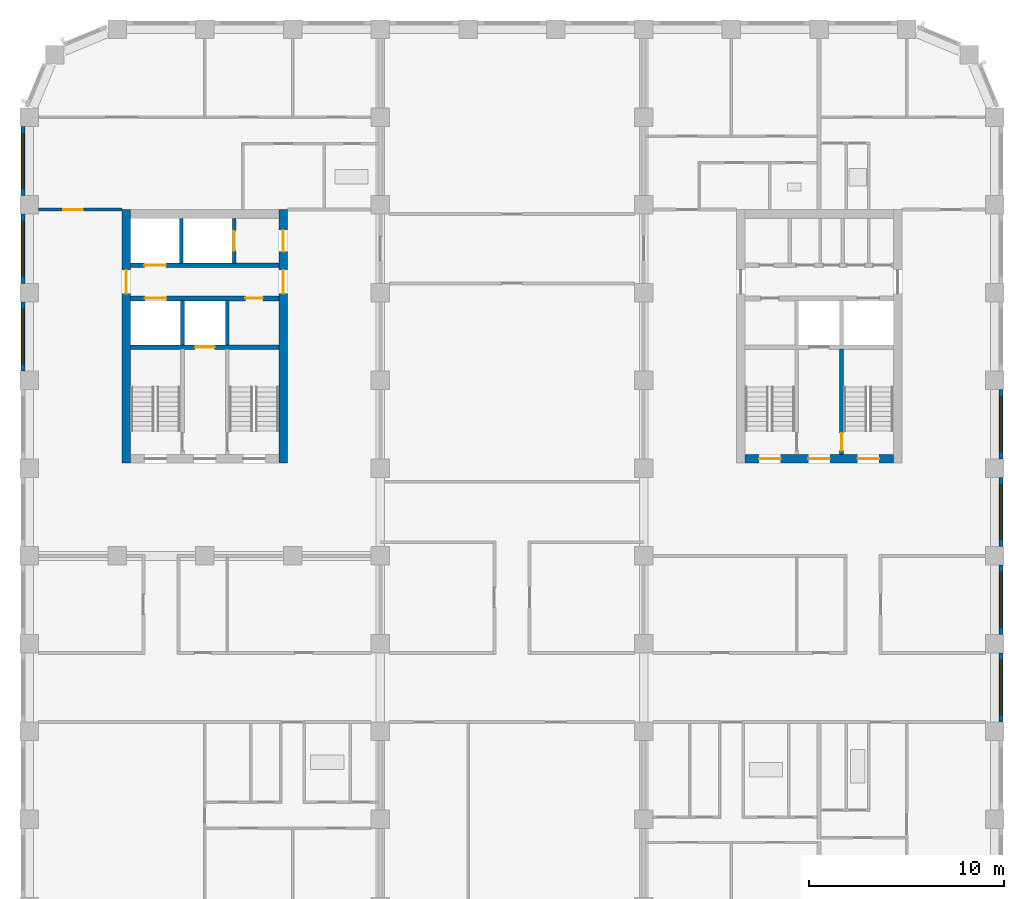
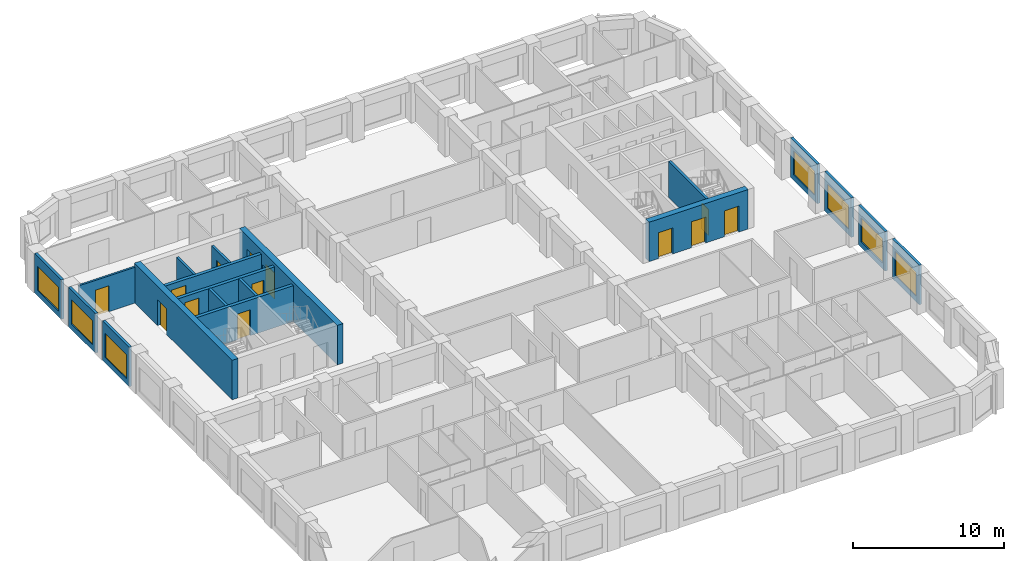
# One storey, part 6 of 12: 19 walls, 13 doors, 7 windows, 20 openings.
"""IFC4 building model written with IfcOpenShell, lengths in metres."""

import ifcopenshell
import ifcopenshell.guid

model = None  # the IFC model being written
_history = None  # IfcOwnerHistory: only IFC2X3 demands one
_inside = {}  # id of a spatial element -> (the spatial element, [elements in it])
_under = {}  # id of a project, library or spatial element -> (it, [spatial elements below it])
_declared = {}  # id of a project -> (the project, [libraries it declares])
_typed = {}  # id of a type object -> (the type object, [elements of that type])
_made_of = {}  # id of a material, layer set ... -> (it, [elements and type objects made of it])


def new_model(schema):
    """Start an empty IFC model of exactly this schema.

    Asked for "IFC4X3", IfcOpenShell would pick the latest addendum, in which some entities
    have other attributes; the version numbers below select the first issue.
    IFC2X3 requires an IfcOwnerHistory on every rooted entity: one is made here for all.
    """
    global model, _history
    if schema == "IFC4X3":
        model = ifcopenshell.file(schema_version=(4, 3, 0, 0))
    else:
        model = ifcopenshell.file(schema=schema)
    _inside.clear()
    _under.clear()
    _declared.clear()
    _typed.clear()
    _made_of.clear()
    _history = None
    if model.schema == "IFC2X3":
        org = make("IfcOrganization", Name="unknown")
        user = make(
            "IfcPersonAndOrganization",
            ThePerson=make("IfcPerson", FamilyName="unknown"),
            TheOrganization=org,
        )
        app = make(
            "IfcApplication",
            ApplicationDeveloper=org,
            Version="unknown",
            ApplicationFullName="unknown",
            ApplicationIdentifier="unknown",
        )
        _history = make(
            "IfcOwnerHistory",
            OwningUser=user,
            OwningApplication=app,
            ChangeAction="ADDED",
            CreationDate=0,
        )
    return model


def make(cls, **values):
    """One entity of the class cls with the attributes given. An attribute that is None is left unset."""
    return model.create_entity(
        cls, **{name: value for name, value in values.items() if value is not None}
    )


def rooted(cls, **values):
    """An entity with a GlobalId (a new one), such as an element, a storey or a relation."""
    return make(cls, GlobalId=ifcopenshell.guid.new(), OwnerHistory=_history, **values)


def si_unit(unit_type, name, prefix=None):
    """IfcSIUnit, for example si_unit("LENGTHUNIT", "METRE", prefix="MILLI")."""
    return make("IfcSIUnit", UnitType=unit_type, Prefix=prefix, Name=name)


def assignment(units):
    """IfcUnitAssignment: the units of a project."""
    return None if units is None else make("IfcUnitAssignment", Units=units)


def point(xyz):
    """IfcCartesianPoint."""
    return None if xyz is None else make("IfcCartesianPoint", Coordinates=xyz)


def direction(xyz):
    """IfcDirection."""
    return None if xyz is None else make("IfcDirection", DirectionRatios=xyz)


def frame(location, z_axis=None, x_axis=None):
    """IfcAxis2Placement3D, a coordinate frame: its origin and axes. An axis left out is left unset."""
    return make(
        "IfcAxis2Placement3D",
        Location=point(location),
        Axis=direction(z_axis),
        RefDirection=direction(x_axis),
    )


def frame_2d(location, x_axis=None):
    """IfcAxis2Placement2D, a coordinate frame in the plane: its origin and x axis."""
    return make(
        "IfcAxis2Placement2D", Location=point(location), RefDirection=direction(x_axis)
    )


def origin():
    """The frame at (0, 0, 0) with its axes left unset."""
    return frame((0.0, 0.0, 0.0))


def place(relative_to, where):
    """IfcLocalPlacement: puts the frame where relative to a parent placement (None: the world)."""
    return make(
        "IfcLocalPlacement", PlacementRelTo=relative_to, RelativePlacement=where
    )


def context(
    kind, dimensions, precision=None, world=None, true_north=None, identifier=None
):
    """IfcGeometricRepresentationContext, for example the 3D "Model" context."""
    return make(
        "IfcGeometricRepresentationContext",
        ContextIdentifier=identifier,
        ContextType=kind,
        CoordinateSpaceDimension=dimensions,
        Precision=precision,
        WorldCoordinateSystem=world,
        TrueNorth=true_north,
    )


def subcontext(parent, identifier, kind, view, scale=None):
    """IfcGeometricRepresentationSubContext, for example "Body" below "Model"."""
    return make(
        "IfcGeometricRepresentationSubContext",
        ContextIdentifier=identifier,
        ContextType=kind,
        ParentContext=parent,
        TargetScale=scale,
        TargetView=view,
    )


def project(units=None, contexts=None):
    """IfcProject with its units and contexts."""
    return rooted(
        "IfcProject",
        Name="project",
        RepresentationContexts=contexts,
        UnitsInContext=assignment(units),
    )


def spatial(cls, under=None, at=None, **own):
    """A site, building, storey or space (cls), placed at a placement, below another one or the project."""
    s = rooted(cls, ObjectPlacement=at, **own)
    if under is not None:
        _under.setdefault(under.id(), (under, []))[1].append(s)
    return s


def profile(cls, at=None, kind="AREA", **sizes):
    """A parametric profile (cls). Its sizes go by their IFC names, for example OverallWidth=200.0."""
    return make(cls, ProfileType=kind, Position=at, **sizes)


def rectangle(**sizes):
    """IfcRectangleProfileDef."""
    return profile("IfcRectangleProfileDef", **sizes)


def extrude(swept, where, along, depth):
    """IfcExtrudedAreaSolid: the profile swept, set in the frame where, extruded along a direction by depth."""
    return make(
        "IfcExtrudedAreaSolid",
        SweptArea=swept,
        Position=where,
        ExtrudedDirection=direction(along),
        Depth=depth,
    )


def shape(context_of_items, identifier, shape_type, items):
    """IfcShapeRepresentation: the items that make up one representation, for example the "Body"."""
    return make(
        "IfcShapeRepresentation",
        ContextOfItems=context_of_items,
        RepresentationIdentifier=identifier,
        RepresentationType=shape_type,
        Items=items,
    )


def material(Name=None, Category=None):
    """IfcMaterial."""
    return make("IfcMaterial", Name=Name, Category=Category)


def layer(
    of_material, thickness, ventilated=None, Name=None, Category=None, Priority=None
):
    """IfcMaterialLayer: one layer of a wall or slab, of a material (None: an air gap)."""
    return make(
        "IfcMaterialLayer",
        Material=of_material,
        LayerThickness=thickness,
        IsVentilated=ventilated,
        Name=Name,
        Category=Category,
        Priority=Priority,
    )


def layer_set(layers, Name=None):
    """IfcMaterialLayerSet."""
    return make("IfcMaterialLayerSet", MaterialLayers=layers, LayerSetName=Name)


def made_of(thing, what):
    """Note that an element or type object is made of a material, layer set ...; save() writes the relation."""
    if what is not None:
        _made_of.setdefault(what.id(), (what, []))[1].append(thing)
    return thing


def type_object(cls, material=None, **own):
    """A type object (cls), such as IfcWallType, which elements share."""
    return made_of(rooted(cls, **own), material)


def element(
    cls,
    number,
    at=None,
    inside=None,
    cuts=None,
    type_object=None,
    material=None,
    context=None,
    identifier="Body",
    shape_type=None,
    held_by="IfcProductDefinitionShape",
    body=None,
    shapes=None,
    **own,
):
    """One element of the class cls, such as IfcWall. Its Tag is "e" and its number.

    at: its placement. inside: the storey or other place that contains it. cuts: it is an
    opening in that element (IfcRelVoidsElement). A single representation is given by context,
    identifier, shape_type and body (its items); several are given by shapes. held_by: the class
    of the entity that holds the representations. save() writes the other relations.
    """
    e = rooted(cls, Tag="e%d" % number, ObjectPlacement=at, **own)
    if body is not None:
        shapes = [shape(context, identifier, shape_type, body)]
    if shapes is not None:
        e.Representation = make(held_by, Representations=shapes)
    if inside is not None:
        _inside.setdefault(inside.id(), (inside, []))[1].append(e)
    if cuts is not None:
        rooted(
            "IfcRelVoidsElement", RelatingBuildingElement=cuts, RelatedOpeningElement=e
        )
    if type_object is not None:
        _typed.setdefault(type_object.id(), (type_object, []))[1].append(e)
    return made_of(e, material)


def fill(opening, filler):
    """IfcRelFillsElement: the door or window that sits in an opening."""
    return rooted(
        "IfcRelFillsElement",
        RelatingOpeningElement=opening,
        RelatedBuildingElement=filler,
    )


def aggregate(whole, parts):
    """IfcRelAggregates: a whole, such as a stair, and the parts it consists of."""
    return rooted("IfcRelAggregates", RelatingObject=whole, RelatedObjects=parts)


def save(model, path):
    """Write the relations noted so far, then the file.

    IfcRelAggregates (storeys below a building ...), IfcRelContainedInSpatialStructure (elements
    in a storey), IfcRelDefinesByType, IfcRelAssociatesMaterial and IfcRelDeclares: one each for
    every whole, place, type object, material and project.
    """
    for whole, parts in _under.values():
        aggregate(whole, parts)
    for where, things in _inside.values():
        rooted(
            "IfcRelContainedInSpatialStructure",
            RelatedElements=things,
            RelatingStructure=where,
        )
    for kind, things in _typed.values():
        rooted("IfcRelDefinesByType", RelatedObjects=things, RelatingType=kind)
    for what, things in _made_of.values():
        rooted("IfcRelAssociatesMaterial", RelatedObjects=things, RelatingMaterial=what)
    for by, libraries in _declared.values():
        rooted("IfcRelDeclares", RelatingContext=by, RelatedDefinitions=libraries)
    model.write(path)


model = new_model("IFC4")

# Units and contexts
model_context = context("Model", 3, precision=1e-05, world=origin(), true_north=direction((0.0, 1.0)))
body_context = subcontext(model_context, "Body", "Model", "MODEL_VIEW")
ifc_project = project(units=[si_unit("LENGTHUNIT", "METRE"), si_unit("AREAUNIT", "SQUARE_METRE"), si_unit("VOLUMEUNIT", "CUBIC_METRE"), si_unit("PLANEANGLEUNIT", "RADIAN"), si_unit("MASSUNIT", "GRAM", prefix="KILO")], contexts=[model_context])

# Site, building, storey
site_placement = place(None, origin())
site = spatial("IfcSite", under=ifc_project, at=site_placement, CompositionType="ELEMENT")
building_placement = place(site_placement, origin())
building = spatial("IfcBuilding", under=site, at=building_placement, Name="Girih Gate Residences", CompositionType="ELEMENT")
storey_placement = place(building_placement, frame((0.0, 0.0, 143.0)))
storey = spatial("IfcBuildingStorey", under=building, at=storey_placement, Name="L40", CompositionType="ELEMENT", Elevation=143.0)

# Wall, opening, door
ifc_material_1 = material(Name="Gypsum board on steel studs", Category="steel")
ifc_layer_1 = layer(ifc_material_1, 0.14990234375)
ifc_layer_set_1 = layer_set([ifc_layer_1], Name="Compartment wall 150 mm")
wall_type_1 = type_object("IfcWallType", Name="Compartment wall 150 mm", PredefinedType="PARTITIONING", material=ifc_layer_set_1)
wall_1_placement = place(storey_placement, frame((0.47509765625, 40.25, 0.0), z_axis=(0.0, 0.0, 1.0), x_axis=(1.0, 0.0, 0.0)))
wall_1 = element("IfcWall", 1, at=wall_1_placement, inside=storey, type_object=wall_type_1, Name="L40 partition", PredefinedType="PARTITIONING", context=body_context, shape_type="SweptSolid", body=[
    extrude(rectangle(XDim=4.27490234375, YDim=0.14990234375, at=frame_2d((2.137451171875, 0.0))), origin(), (0.0, 0.0, 1.0), 2.89990234375),
])
opening_1_placement = place(wall_1_placement, frame((1.27490234375, 0.0, 0.0)))
opening_1 = element("IfcOpeningElement", 2, at=opening_1_placement, cuts=wall_1, Name="Opening A40-015", PredefinedType="OPENING", context=body_context, shape_type="SweptSolid", body=[
    extrude(rectangle(XDim=1.0, YDim=2.10009765625, at=frame_2d((0.5, 1.050048828125))), frame((0.0, 0.0849609375, 0.0), z_axis=(0.0, -1.0, 0.0), x_axis=(1.0, 0.0, 0.0)), (0.0, 0.0, 1.0), 0.169921875),
])
ifc_material_2 = material(Name="Timber, fire-rated core", Category="wood")
door_type_1 = type_object("IfcDoorType", Name="Flat entrance door 1000x2100 FD30S", OperationType="NOTDEFINED", PredefinedType="DOOR", material=ifc_material_2)
door_1_placement = place(opening_1_placement, origin())
door_1 = element("IfcDoor", 3, at=door_1_placement, inside=storey, type_object=door_type_1, Name="Door A40-015", OperationType="SINGLE_SWING_LEFT", OverallHeight=2.10009765625, OverallWidth=1.0, PredefinedType="DOOR", context=body_context, shape_type="SweptSolid", body=[
    extrude(rectangle(XDim=1.0, YDim=2.10009765625, at=frame_2d((0.5, 1.050048828125))), frame((0.0, 0.02490234375, 0.0), z_axis=(0.0, -1.0, 0.0), x_axis=(1.0, 0.0, 0.0)), (0.0, 0.0, 1.0), 0.050048828125),
])
fill(opening_1, door_1)

ifc_material_3 = material(Name="Concrete C60/75", Category="concrete")
ifc_layer_2 = layer(ifc_material_3, 0.449951171875)
ifc_layer_set_2 = layer_set([ifc_layer_2], Name="Core wall RC 450 Concrete C60/75")
wall_type_2 = type_object("IfcWallType", Name="Core wall RC 450 Concrete C60/75", PredefinedType="SOLIDWALL", material=ifc_layer_set_2)
wall_2_placement = place(storey_placement, frame((4.97509765625, 27.25, 0.0), z_axis=(0.0, 0.0, 1.0), x_axis=(0.0, 1.0, 0.0)))
wall_2 = element("IfcWall", 4, at=wall_2_placement, inside=storey, type_object=wall_type_2, Name="Core wall W-W L40", PredefinedType="SOLIDWALL", context=body_context, shape_type="SweptSolid", body=[
    extrude(rectangle(XDim=13.0, YDim=0.449951171875, at=frame_2d((6.5, 0.0))), origin(), (0.0, 0.0, 1.0), 3.199951171875),
])
opening_2_placement = place(wall_2_placement, frame((8.699951171875, 0.0, 0.0)))
opening_2 = element("IfcOpeningElement", 5, at=opening_2_placement, cuts=wall_2, Name="Opening D-L40-W-012", PredefinedType="OPENING", context=body_context, shape_type="SweptSolid", body=[
    extrude(rectangle(XDim=1.199951171875, YDim=2.10009765625, at=frame_2d((0.60009765625, 1.050048828125))), frame((0.0, 0.23486328125, 0.0), z_axis=(0.0, -1.0, 0.0), x_axis=(1.0, 0.0, 0.0)), (0.0, 0.0, 1.0), 0.469970703125),
])
ifc_material_4 = material(Name="Painted steel, fire-resisting", Category="steel")
door_type_2 = type_object("IfcDoorType", Name="Fire door 1200x2100", OperationType="SINGLE_SWING_LEFT", PredefinedType="DOOR", material=ifc_material_4)
door_2_placement = place(opening_2_placement, origin())
door_2 = element("IfcDoor", 6, at=door_2_placement, inside=storey, type_object=door_type_2, Name="L40 W core door ll-w", OperationType="SINGLE_SWING_LEFT", OverallHeight=2.10009765625, OverallWidth=1.199951171875, PredefinedType="DOOR", context=body_context, shape_type="SweptSolid", body=[
    extrude(rectangle(XDim=1.199951171875, YDim=2.10009765625, at=frame_2d((0.60009765625, 1.050048828125))), frame((0.0, 0.02490234375, 0.0), z_axis=(0.0, -1.0, 0.0), x_axis=(1.0, 0.0, 0.0)), (0.0, 0.0, 1.0), 0.050048828125),
])
fill(opening_2, door_2)

# Wall, openings, doors
wall_3_placement = place(storey_placement, frame((13.02490234375, 27.25, 0.0), z_axis=(0.0, 0.0, 1.0), x_axis=(0.0, 1.0, 0.0)))
wall_3 = element("IfcWall", 7, at=wall_3_placement, inside=storey, type_object=wall_type_2, Name="Core wall W-E L40", PredefinedType="SOLIDWALL", context=body_context, shape_type="SweptSolid", body=[
    extrude(rectangle(XDim=13.0, YDim=0.449951171875, at=frame_2d((6.5, 0.0))), origin(), (0.0, 0.0, 1.0), 3.199951171875),
])
opening_3_placement = place(wall_3_placement, frame((10.85009765625, 0.0, 0.0)))
opening_3 = element("IfcOpeningElement", 8, at=opening_3_placement, cuts=wall_3, Name="Opening D-L40-W-011", PredefinedType="OPENING", context=body_context, shape_type="SweptSolid", body=[
    extrude(rectangle(XDim=1.10009765625, YDim=2.10009765625, at=frame_2d((0.550048828125, 1.050048828125))), frame((0.0, 0.23486328125, 0.0), z_axis=(0.0, -1.0, 0.0), x_axis=(1.0, 0.0, 0.0)), (0.0, 0.0, 1.0), 0.469970703125),
])
opening_4_placement = place(wall_3_placement, frame((8.699951171875, 0.0, 0.0)))
opening_4 = element("IfcOpeningElement", 9, at=opening_4_placement, cuts=wall_3, Name="Opening D-L40-W-013", PredefinedType="OPENING", context=body_context, shape_type="SweptSolid", body=[
    extrude(rectangle(XDim=1.199951171875, YDim=2.10009765625, at=frame_2d((0.60009765625, 1.050048828125))), frame((0.0, 0.23486328125, 0.0), z_axis=(0.0, -1.0, 0.0), x_axis=(1.0, 0.0, 0.0)), (0.0, 0.0, 1.0), 0.469970703125),
])
door_type_3 = type_object("IfcDoorType", Name="Fire door 1100x2100", OperationType="SINGLE_SWING_LEFT", PredefinedType="DOOR", material=ifc_material_4)
door_3_placement = place(opening_3_placement, origin())
door_3 = element("IfcDoor", 10, at=door_3_placement, inside=storey, type_object=door_type_3, Name="L40 W core door ffl2-e", OperationType="SINGLE_SWING_LEFT", OverallHeight=2.10009765625, OverallWidth=1.10009765625, PredefinedType="DOOR", context=body_context, shape_type="SweptSolid", body=[
    extrude(rectangle(XDim=1.10009765625, YDim=2.10009765625, at=frame_2d((0.550048828125, 1.050048828125))), frame((0.0, 0.02490234375, 0.0), z_axis=(0.0, -1.0, 0.0), x_axis=(1.0, 0.0, 0.0)), (0.0, 0.0, 1.0), 0.050048828125),
])
fill(opening_3, door_3)
door_4_placement = place(opening_4_placement, origin())
door_4 = element("IfcDoor", 11, at=door_4_placement, inside=storey, type_object=door_type_2, Name="L40 W core door ll-e", OperationType="SINGLE_SWING_LEFT", OverallHeight=2.10009765625, OverallWidth=1.199951171875, PredefinedType="DOOR", context=body_context, shape_type="SweptSolid", body=[
    extrude(rectangle(XDim=1.199951171875, YDim=2.10009765625, at=frame_2d((0.60009765625, 1.050048828125))), frame((0.0, 0.02490234375, 0.0), z_axis=(0.0, -1.0, 0.0), x_axis=(1.0, 0.0, 0.0)), (0.0, 0.0, 1.0), 0.050048828125),
])
fill(opening_4, door_4)

wall_4_placement = place(storey_placement, frame((36.699951171875, 27.47509765625, 0.0), z_axis=(0.0, 0.0, 1.0), x_axis=(1.0, 0.0, 0.0)))
wall_4 = element("IfcWall", 12, at=wall_4_placement, inside=storey, type_object=wall_type_2, Name="Core wall E-S L40", PredefinedType="SOLIDWALL", context=body_context, shape_type="SweptSolid", body=[
    extrude(rectangle(XDim=7.60009765625, YDim=0.449951171875, at=frame_2d((3.800048828125, 0.0))), origin(), (0.0, 0.0, 1.0), 3.199951171875),
])
opening_5_placement = place(wall_4_placement, frame((5.77490234375, 0.0, 0.0)))
opening_5 = element("IfcOpeningElement", 13, at=opening_5_placement, cuts=wall_4, Name="Opening D-L40-E-011", PredefinedType="OPENING", context=body_context, shape_type="SweptSolid", body=[
    extrude(rectangle(XDim=1.10009765625, YDim=2.10009765625, at=frame_2d((0.550048828125, 1.050048828125))), frame((0.0, 0.23486328125, 0.0), z_axis=(0.0, -1.0, 0.0), x_axis=(1.0, 0.0, 0.0)), (0.0, 0.0, 1.0), 0.469970703125),
])
opening_6_placement = place(wall_4_placement, frame((3.25, 0.0, 0.0)))
opening_6 = element("IfcOpeningElement", 14, at=opening_6_placement, cuts=wall_4, Name="Opening D-L40-E-012", PredefinedType="OPENING", context=body_context, shape_type="SweptSolid", body=[
    extrude(rectangle(XDim=1.10009765625, YDim=2.10009765625, at=frame_2d((0.550048828125, 1.050048828125))), frame((0.0, 0.23486328125, 0.0), z_axis=(0.0, -1.0, 0.0), x_axis=(1.0, 0.0, 0.0)), (0.0, 0.0, 1.0), 0.469970703125),
])
opening_7_placement = place(wall_4_placement, frame((0.72509765625, 0.0, 0.0)))
opening_7 = element("IfcOpeningElement", 15, at=opening_7_placement, cuts=wall_4, Name="Opening D-L40-E-013", PredefinedType="OPENING", context=body_context, shape_type="SweptSolid", body=[
    extrude(rectangle(XDim=1.10009765625, YDim=2.10009765625, at=frame_2d((0.550048828125, 1.050048828125))), frame((0.0, 0.23486328125, 0.0), z_axis=(0.0, -1.0, 0.0), x_axis=(1.0, 0.0, 0.0)), (0.0, 0.0, 1.0), 0.469970703125),
])
door_5_placement = place(opening_5_placement, origin())
door_5 = element("IfcDoor", 16, at=door_5_placement, inside=storey, type_object=door_type_3, Name="L40 E core door sta-out", OperationType="SINGLE_SWING_LEFT", OverallHeight=2.10009765625, OverallWidth=1.10009765625, PredefinedType="DOOR", context=body_context, shape_type="SweptSolid", body=[
    extrude(rectangle(XDim=1.10009765625, YDim=2.10009765625, at=frame_2d((0.550048828125, 1.050048828125))), frame((0.0, 0.02490234375, 0.0), z_axis=(0.0, -1.0, 0.0), x_axis=(1.0, 0.0, 0.0)), (0.0, 0.0, 1.0), 0.050048828125),
])
fill(opening_5, door_5)
door_6_placement = place(opening_6_placement, origin())
door_6 = element("IfcDoor", 17, at=door_6_placement, inside=storey, type_object=door_type_3, Name="L40 E core door ffl-out", OperationType="SINGLE_SWING_LEFT", OverallHeight=2.10009765625, OverallWidth=1.10009765625, PredefinedType="DOOR", context=body_context, shape_type="SweptSolid", body=[
    extrude(rectangle(XDim=1.10009765625, YDim=2.10009765625, at=frame_2d((0.550048828125, 1.050048828125))), frame((0.0, 0.02490234375, 0.0), z_axis=(0.0, -1.0, 0.0), x_axis=(1.0, 0.0, 0.0)), (0.0, 0.0, 1.0), 0.050048828125),
])
fill(opening_6, door_6)
door_7_placement = place(opening_7_placement, origin())
door_7 = element("IfcDoor", 18, at=door_7_placement, inside=storey, type_object=door_type_3, Name="L40 E core door stb-out", OperationType="SINGLE_SWING_LEFT", OverallHeight=2.10009765625, OverallWidth=1.10009765625, PredefinedType="DOOR", context=body_context, shape_type="SweptSolid", body=[
    extrude(rectangle(XDim=1.10009765625, YDim=2.10009765625, at=frame_2d((0.550048828125, 1.050048828125))), frame((0.0, 0.02490234375, 0.0), z_axis=(0.0, -1.0, 0.0), x_axis=(1.0, 0.0, 0.0)), (0.0, 0.0, 1.0), 0.050048828125),
])
fill(opening_7, door_7)

# Wall, opening, door
ifc_material_5 = material(Name="Concrete C40/50", Category="concrete")
ifc_layer_3 = layer(ifc_material_5, 0.25)
ifc_layer_set_3 = layer_set([ifc_layer_3], Name="Lift shaft wall 250")
wall_type_3 = type_object("IfcWallType", Name="Lift shaft wall 250", PredefinedType="SOLIDWALL", material=ifc_layer_set_3)
wall_5_placement = place(storey_placement, frame((5.199951171875, 33.199951171875, 0.0), z_axis=(0.0, 0.0, 1.0), x_axis=(1.0, 0.0, 0.0)))
wall_5 = element("IfcWall", 19, at=wall_5_placement, inside=storey, type_object=wall_type_3, Name="L40 W core wall H1", PredefinedType="SOLIDWALL", context=body_context, shape_type="SweptSolid", body=[
    extrude(rectangle(XDim=7.60009765625, YDim=0.25, at=frame_2d((3.800048828125, 0.0))), origin(), (0.0, 0.0, 1.0), 2.89990234375),
])
opening_8_placement = place(wall_5_placement, frame((3.300048828125, 0.0, 0.0)))
opening_8 = element("IfcOpeningElement", 20, at=opening_8_placement, cuts=wall_5, Name="Opening D-L40-W-006", PredefinedType="OPENING", context=body_context, shape_type="SweptSolid", body=[
    extrude(rectangle(XDim=1.0, YDim=2.10009765625, at=frame_2d((0.5, 1.050048828125))), frame((0.0, 0.135009765625, 0.0), z_axis=(0.0, -1.0, 0.0), x_axis=(1.0, 0.0, 0.0)), (0.0, 0.0, 1.0), 0.27001953125),
])
ifc_material_6 = material(Name="Stainless steel, fire-resisting", Category="steel")
door_type_4 = type_object("IfcDoorType", Name="Firefighting lift landing door 1000x2100", OperationType="SLIDING_TO_LEFT", PredefinedType="DOOR", material=ifc_material_6)
door_8_placement = place(opening_8_placement, origin())
door_8 = element("IfcDoor", 21, at=door_8_placement, inside=storey, type_object=door_type_4, Name="L40 lift FF-W landing door", OperationType="SLIDING_TO_LEFT", OverallHeight=2.10009765625, OverallWidth=1.0, PredefinedType="DOOR", context=body_context, shape_type="SweptSolid", body=[
    extrude(rectangle(XDim=1.0, YDim=2.10009765625, at=frame_2d((0.5, 1.050048828125))), frame((0.0, 0.02490234375, 0.0), z_axis=(0.0, -1.0, 0.0), x_axis=(1.0, 0.0, 0.0)), (0.0, 0.0, 1.0), 0.050048828125),
])
fill(opening_8, door_8)

# Wall, openings, doors
wall_6_placement = place(storey_placement, frame((5.199951171875, 35.699951171875, 0.0), z_axis=(0.0, 0.0, 1.0), x_axis=(1.0, 0.0, 0.0)))
wall_6 = element("IfcWall", 22, at=wall_6_placement, inside=storey, type_object=wall_type_3, Name="L40 W core wall H2", PredefinedType="SOLIDWALL", context=body_context, shape_type="SweptSolid", body=[
    extrude(rectangle(XDim=7.60009765625, YDim=0.25, at=frame_2d((3.800048828125, 0.0))), origin(), (0.0, 0.0, 1.0), 2.89990234375),
])
opening_9_placement = place(wall_6_placement, frame((0.72509765625, 0.0, 0.0)))
opening_9 = element("IfcOpeningElement", 23, at=opening_9_placement, cuts=wall_6, Name="Opening D-L40-W-005", PredefinedType="OPENING", context=body_context, shape_type="SweptSolid", body=[
    extrude(rectangle(XDim=1.10009765625, YDim=2.39990234375, at=frame_2d((0.550048828125, 1.199951171875))), frame((0.0, 0.135009765625, 0.0), z_axis=(0.0, -1.0, 0.0), x_axis=(1.0, 0.0, 0.0)), (0.0, 0.0, 1.0), 0.27001953125),
])
opening_10_placement = place(wall_6_placement, frame((5.875, 0.0, 0.0)))
opening_10 = element("IfcOpeningElement", 24, at=opening_10_placement, cuts=wall_6, Name="Opening D-L40-W-007", PredefinedType="OPENING", context=body_context, shape_type="SweptSolid", body=[
    extrude(rectangle(XDim=0.89990234375, YDim=2.10009765625, at=frame_2d((0.449951171875, 1.050048828125))), frame((0.0, 0.135009765625, 0.0), z_axis=(0.0, -1.0, 0.0), x_axis=(1.0, 0.0, 0.0)), (0.0, 0.0, 1.0), 0.27001953125),
])
door_type_5 = type_object("IfcDoorType", Name="Fire door 900x2100", OperationType="SINGLE_SWING_LEFT", PredefinedType="DOOR", material=ifc_material_4)
door_9_placement = place(opening_10_placement, origin())
door_9 = element("IfcDoor", 25, at=door_9_placement, inside=storey, type_object=door_type_5, Name="L40 W maintenance store door", OperationType="SINGLE_SWING_LEFT", OverallHeight=2.10009765625, OverallWidth=0.89990234375, PredefinedType="DOOR", context=body_context, shape_type="SweptSolid", body=[
    extrude(rectangle(XDim=0.89990234375, YDim=2.10009765625, at=frame_2d((0.449951171875, 1.050048828125))), frame((0.0, 0.02490234375, 0.0), z_axis=(0.0, -1.0, 0.0), x_axis=(1.0, 0.0, 0.0)), (0.0, 0.0, 1.0), 0.050048828125),
])
fill(opening_10, door_9)
ifc_material_7 = material(Name="Stainless steel", Category="steel")
door_type_6 = type_object("IfcDoorType", Name="Lift landing door 1100x2400", OperationType="SLIDING_TO_LEFT", PredefinedType="DOOR", material=ifc_material_7)
door_10_placement = place(opening_9_placement, origin())
door_10 = element("IfcDoor", 26, at=door_10_placement, inside=storey, type_object=door_type_6, Name="L40 lift HR-W1 landing door", OperationType="SLIDING_TO_LEFT", OverallHeight=2.39990234375, OverallWidth=1.10009765625, PredefinedType="DOOR", context=body_context, shape_type="SweptSolid", body=[
    extrude(rectangle(XDim=1.10009765625, YDim=2.39990234375, at=frame_2d((0.550048828125, 1.199951171875))), frame((0.0, 0.02490234375, 0.0), z_axis=(0.0, -1.0, 0.0), x_axis=(1.0, 0.0, 0.0)), (0.0, 0.0, 1.0), 0.050048828125),
])
fill(opening_9, door_10)

# Wall, opening, door
wall_7_placement = place(storey_placement, frame((5.199951171875, 37.39990234375, 0.0), z_axis=(0.0, 0.0, 1.0), x_axis=(1.0, 0.0, 0.0)))
wall_7 = element("IfcWall", 27, at=wall_7_placement, inside=storey, type_object=wall_type_3, Name="L40 W core wall H3", PredefinedType="SOLIDWALL", context=body_context, shape_type="SweptSolid", body=[
    extrude(rectangle(XDim=7.60009765625, YDim=0.25, at=frame_2d((3.800048828125, 0.0))), origin(), (0.0, 0.0, 1.0), 2.89990234375),
])
opening_11_placement = place(wall_7_placement, frame((0.699951171875, 0.0, 0.0)))
opening_11 = element("IfcOpeningElement", 28, at=opening_11_placement, cuts=wall_7, Name="Opening D-L40-W-003", PredefinedType="OPENING", context=body_context, shape_type="SweptSolid", body=[
    extrude(rectangle(XDim=1.10009765625, YDim=2.39990234375, at=frame_2d((0.550048828125, 1.199951171875))), frame((0.0, 0.135009765625, 0.0), z_axis=(0.0, -1.0, 0.0), x_axis=(1.0, 0.0, 0.0)), (0.0, 0.0, 1.0), 0.27001953125),
])
door_11_placement = place(opening_11_placement, origin())
door_11 = element("IfcDoor", 29, at=door_11_placement, inside=storey, type_object=door_type_6, Name="L40 lift LR-W1 landing door", OperationType="SLIDING_TO_LEFT", OverallHeight=2.39990234375, OverallWidth=1.10009765625, PredefinedType="DOOR", context=body_context, shape_type="SweptSolid", body=[
    extrude(rectangle(XDim=1.10009765625, YDim=2.39990234375, at=frame_2d((0.550048828125, 1.199951171875))), frame((0.0, 0.02490234375, 0.0), z_axis=(0.0, -1.0, 0.0), x_axis=(1.0, 0.0, 0.0)), (0.0, 0.0, 1.0), 0.050048828125),
])
fill(opening_11, door_11)

# Wall, opening, window
ifc_material_8 = material(Name="Precast concrete C50/60", Category="concrete")
ifc_layer_4 = layer(ifc_material_8, 0.06005859375, Name="Outer leaf")
ifc_material_9 = material(Name="Rigid PIR insulation")
ifc_layer_5 = layer(ifc_material_9, 0.090087890625, Name="Insulation")
ifc_material_10 = material(Name="Precast concrete C40/50", Category="concrete")
ifc_layer_6 = layer(ifc_material_10, 0.050048828125, Name="Inner leaf")
ifc_layer_set_4 = layer_set([ifc_layer_4, ifc_layer_5, ifc_layer_6], Name="Precast concrete C50/60 external wall 200")
wall_type_4 = type_object("IfcWallType", Name="Precast concrete C50/60 external wall 200", PredefinedType="SOLIDWALL", material=ifc_layer_set_4)
wall_8_placement = place(storey_placement, frame((49.824951171875, 17.52490234375, 0.0), z_axis=(0.0, 0.0, 1.0), x_axis=(0.0, -1.0, 0.0)))
wall_8 = element("IfcWall", 30, at=wall_8_placement, inside=storey, type_object=wall_type_4, Name="External wall E0495_0045.2", PredefinedType="SOLIDWALL", context=body_context, shape_type="SweptSolid", body=[
    extrude(rectangle(XDim=3.5498046875, YDim=0.199951171875, at=frame_2d((1.77490234375, 0.0))), origin(), (0.0, 0.0, 1.0), 3.199951171875),
])
opening_12_placement = place(wall_8_placement, frame((0.375, 0.0, 0.449951171875)))
opening_12 = element("IfcOpeningElement", 31, at=opening_12_placement, cuts=wall_8, Name="Opening W-1B", PredefinedType="OPENING", context=body_context, shape_type="SweptSolid", body=[
    extrude(rectangle(XDim=2.800048828125, YDim=1.949951171875, at=frame_2d((1.39990234375, 0.97509765625))), frame((0.0, 0.10986328125, 0.0), z_axis=(0.0, -1.0, 0.0), x_axis=(1.0, 0.0, 0.0)), (0.0, 0.0, 1.0), 0.219970703125),
])
ifc_material_11 = material(Name="Double glazing in aluminium frame", Category="aluminium")
window_type = type_object("IfcWindowType", Name="Window W-1B 2800x1950", PartitioningType="SINGLE_PANEL", PredefinedType="WINDOW", material=ifc_material_11)
window_1_placement = place(opening_12_placement, origin())
window_1 = element("IfcWindow", 32, at=window_1_placement, inside=storey, type_object=window_type, Name="Window W-1B E0495_0045.2", OverallHeight=1.949951171875, OverallWidth=2.800048828125, PartitioningType="SINGLE_PANEL", PredefinedType="WINDOW", context=body_context, shape_type="SweptSolid", body=[
    extrude(rectangle(XDim=2.800048828125, YDim=1.949951171875, at=frame_2d((1.39990234375, 0.97509765625))), frame((0.0, 0.030029296875, 0.0), z_axis=(0.0, -1.0, 0.0), x_axis=(1.0, 0.0, 0.0)), (0.0, 0.0, 1.0), 0.06005859375),
])
fill(opening_12, window_1)

wall_9_placement = place(storey_placement, frame((49.824951171875, 22.02490234375, 0.0), z_axis=(0.0, 0.0, 1.0), x_axis=(0.0, -1.0, 0.0)))
wall_9 = element("IfcWall", 33, at=wall_9_placement, inside=storey, type_object=wall_type_4, Name="External wall E0495_0045.3", PredefinedType="SOLIDWALL", context=body_context, shape_type="SweptSolid", body=[
    extrude(rectangle(XDim=3.5498046875, YDim=0.199951171875, at=frame_2d((1.77490234375, 0.0))), origin(), (0.0, 0.0, 1.0), 3.199951171875),
])
opening_13_placement = place(wall_9_placement, frame((0.375, 0.0, 0.449951171875)))
opening_13 = element("IfcOpeningElement", 34, at=opening_13_placement, cuts=wall_9, Name="Opening W-1B", PredefinedType="OPENING", context=body_context, shape_type="SweptSolid", body=[
    extrude(rectangle(XDim=2.800048828125, YDim=1.949951171875, at=frame_2d((1.39990234375, 0.97509765625))), frame((0.0, 0.10986328125, 0.0), z_axis=(0.0, -1.0, 0.0), x_axis=(1.0, 0.0, 0.0)), (0.0, 0.0, 1.0), 0.219970703125),
])
window_2_placement = place(opening_13_placement, origin())
window_2 = element("IfcWindow", 35, at=window_2_placement, inside=storey, type_object=window_type, Name="Window W-1B E0495_0045.3", OverallHeight=1.949951171875, OverallWidth=2.800048828125, PartitioningType="SINGLE_PANEL", PredefinedType="WINDOW", context=body_context, shape_type="SweptSolid", body=[
    extrude(rectangle(XDim=2.800048828125, YDim=1.949951171875, at=frame_2d((1.39990234375, 0.97509765625))), frame((0.0, 0.030029296875, 0.0), z_axis=(0.0, -1.0, 0.0), x_axis=(1.0, 0.0, 0.0)), (0.0, 0.0, 1.0), 0.06005859375),
])
fill(opening_13, window_2)

wall_10_placement = place(storey_placement, frame((49.824951171875, 26.52490234375, 0.0), z_axis=(0.0, 0.0, 1.0), x_axis=(0.0, -1.0, 0.0)))
wall_10 = element("IfcWall", 36, at=wall_10_placement, inside=storey, type_object=wall_type_4, Name="External wall E0495_0045.4", PredefinedType="SOLIDWALL", context=body_context, shape_type="SweptSolid", body=[
    extrude(rectangle(XDim=3.5498046875, YDim=0.199951171875, at=frame_2d((1.77490234375, 0.0))), origin(), (0.0, 0.0, 1.0), 3.199951171875),
])
opening_14_placement = place(wall_10_placement, frame((0.375, 0.0, 0.449951171875)))
opening_14 = element("IfcOpeningElement", 37, at=opening_14_placement, cuts=wall_10, Name="Opening W-1B", PredefinedType="OPENING", context=body_context, shape_type="SweptSolid", body=[
    extrude(rectangle(XDim=2.800048828125, YDim=1.949951171875, at=frame_2d((1.39990234375, 0.97509765625))), frame((0.0, 0.10986328125, 0.0), z_axis=(0.0, -1.0, 0.0), x_axis=(1.0, 0.0, 0.0)), (0.0, 0.0, 1.0), 0.219970703125),
])
window_3_placement = place(opening_14_placement, origin())
window_3 = element("IfcWindow", 38, at=window_3_placement, inside=storey, type_object=window_type, Name="Window W-1B E0495_0045.4", OverallHeight=1.949951171875, OverallWidth=2.800048828125, PartitioningType="SINGLE_PANEL", PredefinedType="WINDOW", context=body_context, shape_type="SweptSolid", body=[
    extrude(rectangle(XDim=2.800048828125, YDim=1.949951171875, at=frame_2d((1.39990234375, 0.97509765625))), frame((0.0, 0.030029296875, 0.0), z_axis=(0.0, -1.0, 0.0), x_axis=(1.0, 0.0, 0.0)), (0.0, 0.0, 1.0), 0.06005859375),
])
fill(opening_14, window_3)

wall_11_placement = place(storey_placement, frame((49.824951171875, 31.02490234375, 0.0), z_axis=(0.0, 0.0, 1.0), x_axis=(0.0, -1.0, 0.0)))
wall_11 = element("IfcWall", 39, at=wall_11_placement, inside=storey, type_object=wall_type_4, Name="External wall E0495_0045.5", PredefinedType="SOLIDWALL", context=body_context, shape_type="SweptSolid", body=[
    extrude(rectangle(XDim=3.5498046875, YDim=0.199951171875, at=frame_2d((1.77490234375, 0.0))), origin(), (0.0, 0.0, 1.0), 3.199951171875),
])
opening_15_placement = place(wall_11_placement, frame((0.375, 0.0, 0.449951171875)))
opening_15 = element("IfcOpeningElement", 40, at=opening_15_placement, cuts=wall_11, Name="Opening W-1B", PredefinedType="OPENING", context=body_context, shape_type="SweptSolid", body=[
    extrude(rectangle(XDim=2.800048828125, YDim=1.949951171875, at=frame_2d((1.39990234375, 0.97509765625))), frame((0.0, 0.10986328125, 0.0), z_axis=(0.0, -1.0, 0.0), x_axis=(1.0, 0.0, 0.0)), (0.0, 0.0, 1.0), 0.219970703125),
])
window_4_placement = place(opening_15_placement, origin())
window_4 = element("IfcWindow", 41, at=window_4_placement, inside=storey, type_object=window_type, Name="Window W-1B E0495_0045.5", OverallHeight=1.949951171875, OverallWidth=2.800048828125, PartitioningType="SINGLE_PANEL", PredefinedType="WINDOW", context=body_context, shape_type="SweptSolid", body=[
    extrude(rectangle(XDim=2.800048828125, YDim=1.949951171875, at=frame_2d((1.39990234375, 0.97509765625))), frame((0.0, 0.030029296875, 0.0), z_axis=(0.0, -1.0, 0.0), x_axis=(1.0, 0.0, 0.0)), (0.0, 0.0, 1.0), 0.06005859375),
])
fill(opening_15, window_4)

wall_12_placement = place(storey_placement, frame((-0.324951171875, 40.97509765625, 0.0), z_axis=(0.0, 0.0, 1.0), x_axis=(0.0, 1.0, 0.0)))
wall_12 = element("IfcWall", 42, at=wall_12_placement, inside=storey, type_object=wall_type_4, Name="External wall W0000_0450.0", PredefinedType="SOLIDWALL", context=body_context, shape_type="SweptSolid", body=[
    extrude(rectangle(XDim=3.5498046875, YDim=0.199951171875, at=frame_2d((1.77490234375, 0.0))), origin(), (0.0, 0.0, 1.0), 3.199951171875),
])
opening_16_placement = place(wall_12_placement, frame((0.375, 0.0, 0.449951171875)))
opening_16 = element("IfcOpeningElement", 43, at=opening_16_placement, cuts=wall_12, Name="Opening W-1B", PredefinedType="OPENING", context=body_context, shape_type="SweptSolid", body=[
    extrude(rectangle(XDim=2.800048828125, YDim=1.949951171875, at=frame_2d((1.39990234375, 0.97509765625))), frame((0.0, 0.10986328125, 0.0), z_axis=(0.0, -1.0, 0.0), x_axis=(1.0, 0.0, 0.0)), (0.0, 0.0, 1.0), 0.219970703125),
])
window_5_placement = place(opening_16_placement, origin())
window_5 = element("IfcWindow", 44, at=window_5_placement, inside=storey, type_object=window_type, Name="Window W-1B W0000_0450.0", OverallHeight=1.949951171875, OverallWidth=2.800048828125, PartitioningType="SINGLE_PANEL", PredefinedType="WINDOW", context=body_context, shape_type="SweptSolid", body=[
    extrude(rectangle(XDim=2.800048828125, YDim=1.949951171875, at=frame_2d((1.39990234375, 0.97509765625))), frame((0.0, 0.030029296875, 0.0), z_axis=(0.0, -1.0, 0.0), x_axis=(1.0, 0.0, 0.0)), (0.0, 0.0, 1.0), 0.06005859375),
])
fill(opening_16, window_5)

wall_13_placement = place(storey_placement, frame((-0.324951171875, 36.47509765625, 0.0), z_axis=(0.0, 0.0, 1.0), x_axis=(0.0, 1.0, 0.0)))
wall_13 = element("IfcWall", 45, at=wall_13_placement, inside=storey, type_object=wall_type_4, Name="External wall W0000_0450.1", PredefinedType="SOLIDWALL", context=body_context, shape_type="SweptSolid", body=[
    extrude(rectangle(XDim=3.5498046875, YDim=0.199951171875, at=frame_2d((1.77490234375, 0.0))), origin(), (0.0, 0.0, 1.0), 3.199951171875),
])
opening_17_placement = place(wall_13_placement, frame((0.375, 0.0, 0.449951171875)))
opening_17 = element("IfcOpeningElement", 46, at=opening_17_placement, cuts=wall_13, Name="Opening W-1B", PredefinedType="OPENING", context=body_context, shape_type="SweptSolid", body=[
    extrude(rectangle(XDim=2.800048828125, YDim=1.949951171875, at=frame_2d((1.39990234375, 0.97509765625))), frame((0.0, 0.10986328125, 0.0), z_axis=(0.0, -1.0, 0.0), x_axis=(1.0, 0.0, 0.0)), (0.0, 0.0, 1.0), 0.219970703125),
])
window_6_placement = place(opening_17_placement, origin())
window_6 = element("IfcWindow", 47, at=window_6_placement, inside=storey, type_object=window_type, Name="Window W-1B W0000_0450.1", OverallHeight=1.949951171875, OverallWidth=2.800048828125, PartitioningType="SINGLE_PANEL", PredefinedType="WINDOW", context=body_context, shape_type="SweptSolid", body=[
    extrude(rectangle(XDim=2.800048828125, YDim=1.949951171875, at=frame_2d((1.39990234375, 0.97509765625))), frame((0.0, 0.030029296875, 0.0), z_axis=(0.0, -1.0, 0.0), x_axis=(1.0, 0.0, 0.0)), (0.0, 0.0, 1.0), 0.06005859375),
])
fill(opening_17, window_6)

wall_14_placement = place(storey_placement, frame((-0.324951171875, 31.97509765625, 0.0), z_axis=(0.0, 0.0, 1.0), x_axis=(0.0, 1.0, 0.0)))
wall_14 = element("IfcWall", 48, at=wall_14_placement, inside=storey, type_object=wall_type_4, Name="External wall W0000_0450.2", PredefinedType="SOLIDWALL", context=body_context, shape_type="SweptSolid", body=[
    extrude(rectangle(XDim=3.5498046875, YDim=0.199951171875, at=frame_2d((1.77490234375, 0.0))), origin(), (0.0, 0.0, 1.0), 3.199951171875),
])
opening_18_placement = place(wall_14_placement, frame((0.375, 0.0, 0.449951171875)))
opening_18 = element("IfcOpeningElement", 49, at=opening_18_placement, cuts=wall_14, Name="Opening W-1B", PredefinedType="OPENING", context=body_context, shape_type="SweptSolid", body=[
    extrude(rectangle(XDim=2.800048828125, YDim=1.949951171875, at=frame_2d((1.39990234375, 0.97509765625))), frame((0.0, 0.10986328125, 0.0), z_axis=(0.0, -1.0, 0.0), x_axis=(1.0, 0.0, 0.0)), (0.0, 0.0, 1.0), 0.219970703125),
])
window_7_placement = place(opening_18_placement, origin())
window_7 = element("IfcWindow", 50, at=window_7_placement, inside=storey, type_object=window_type, Name="Window W-1B W0000_0450.2", OverallHeight=1.949951171875, OverallWidth=2.800048828125, PartitioningType="SINGLE_PANEL", PredefinedType="WINDOW", context=body_context, shape_type="SweptSolid", body=[
    extrude(rectangle(XDim=2.800048828125, YDim=1.949951171875, at=frame_2d((1.39990234375, 0.97509765625))), frame((0.0, 0.030029296875, 0.0), z_axis=(0.0, -1.0, 0.0), x_axis=(1.0, 0.0, 0.0)), (0.0, 0.0, 1.0), 0.06005859375),
])
fill(opening_18, window_7)

# Wall
ifc_layer_7 = layer(ifc_material_5, 0.175048828125)
ifc_layer_set_5 = layer_set([ifc_layer_7], Name="Riser shaft wall 175")
wall_type_5 = type_object("IfcWallType", Name="Riser shaft wall 175", PredefinedType="SOLIDWALL", material=ifc_layer_set_5)
wall_15_placement = place(storey_placement, frame((7.800048828125, 37.5, 0.0), z_axis=(0.0, 0.0, 1.0), x_axis=(0.0, 1.0, 0.0)))
element("IfcWall", 51, at=wall_15_placement, inside=storey, type_object=wall_type_5, Name="L40 W core wall V1c", PredefinedType="SOLIDWALL", context=body_context, shape_type="SweptSolid", body=[
    extrude(rectangle(XDim=2.300048828125, YDim=0.175048828125, at=frame_2d((1.14990234375, 0.0))), origin(), (0.0, 0.0, 1.0), 2.89990234375),
])

# Wall, opening, door
wall_16_placement = place(storey_placement, frame((10.5, 37.5, 0.0), z_axis=(0.0, 0.0, 1.0), x_axis=(0.0, 1.0, 0.0)))
wall_16 = element("IfcWall", 52, at=wall_16_placement, inside=storey, type_object=wall_type_5, Name="L40 W core wall V2c", PredefinedType="SOLIDWALL", context=body_context, shape_type="SweptSolid", body=[
    extrude(rectangle(XDim=2.300048828125, YDim=0.175048828125, at=frame_2d((1.14990234375, 0.0))), origin(), (0.0, 0.0, 1.0), 2.89990234375),
])
opening_19_placement = place(wall_16_placement, frame((0.64990234375, 0.0, 0.0)))
opening_19 = element("IfcOpeningElement", 53, at=opening_19_placement, cuts=wall_16, Name="Opening D-L40-W-004", PredefinedType="OPENING", context=body_context, shape_type="SweptSolid", body=[
    extrude(rectangle(XDim=1.0, YDim=2.10009765625, at=frame_2d((0.5, 1.050048828125))), frame((0.0, 0.097412109375, 0.0), z_axis=(0.0, -1.0, 0.0), x_axis=(1.0, 0.0, 0.0)), (0.0, 0.0, 1.0), 0.195068359375),
])
door_12_placement = place(opening_19_placement, origin())
door_12 = element("IfcDoor", 54, at=door_12_placement, inside=storey, type_object=door_type_4, Name="L40 lift FF-W2 landing door", OperationType="SLIDING_TO_LEFT", OverallHeight=2.10009765625, OverallWidth=1.0, PredefinedType="DOOR", context=body_context, shape_type="SweptSolid", body=[
    extrude(rectangle(XDim=1.0, YDim=2.10009765625, at=frame_2d((0.5, 1.050048828125))), frame((0.0, 0.02490234375, 0.0), z_axis=(0.0, -1.0, 0.0), x_axis=(1.0, 0.0, 0.0)), (0.0, 0.0, 1.0), 0.050048828125),
])
fill(opening_19, door_12)

# Walls
ifc_layer_8 = layer(ifc_material_5, 0.199951171875)
ifc_layer_set_6 = layer_set([ifc_layer_8], Name="Shaft wall 200")
wall_type_6 = type_object("IfcWallType", Name="Shaft wall 200", PredefinedType="SOLIDWALL", material=ifc_layer_set_6)
for number, where, z_axis, x_axis, name in (
    (55, (7.85009765625, 33.300048828125, 0.0), (0.0, 0.0, 1.0), (0.0, 1.0, 0.0), "L40 W core wall V1b"),
    (56, (10.14990234375, 33.300048828125, 0.0), (0.0, 0.0, 1.0), (0.0, 1.0, 0.0), "L40 W core wall V2b"),
):
    element("IfcWall", number, at=place(storey_placement, frame(where, z_axis=z_axis, x_axis=x_axis)), inside=storey, type_object=wall_type_6, Name=name, PredefinedType="SOLIDWALL", context=body_context, shape_type="SweptSolid", body=[
        extrude(rectangle(XDim=2.300048828125, YDim=0.199951171875, at=frame_2d((1.14990234375, 0.0))), origin(), (0.0, 0.0, 1.0), 2.89990234375),
    ])

# Wall, opening, door
wall_17_placement = place(storey_placement, frame((41.64990234375, 27.699951171875, 0.0), z_axis=(0.0, 0.0, 1.0), x_axis=(0.0, 1.0, 0.0)))
wall_17 = element("IfcWall", 57, at=wall_17_placement, inside=storey, type_object=wall_type_6, Name="L40 E core wall V1a", PredefinedType="SOLIDWALL", context=body_context, shape_type="SweptSolid", body=[
    extrude(rectangle(XDim=5.400146484375, YDim=0.199951171875, at=frame_2d((2.7001953125, 0.0))), origin(), (0.0, 0.0, 1.0), 2.89990234375),
])
opening_20_placement = place(wall_17_placement, frame((0.199951171875, 0.0, 0.0)))
opening_20 = element("IfcOpeningElement", 58, at=opening_20_placement, cuts=wall_17, Name="Opening D-L40-E-001", PredefinedType="OPENING", context=body_context, shape_type="SweptSolid", body=[
    extrude(rectangle(XDim=0.89990234375, YDim=2.10009765625, at=frame_2d((0.449951171875, 1.050048828125))), frame((0.0, 0.10986328125, 0.0), z_axis=(0.0, -1.0, 0.0), x_axis=(1.0, 0.0, 0.0)), (0.0, 0.0, 1.0), 0.219970703125),
])
door_13_placement = place(opening_20_placement, origin())
door_13 = element("IfcDoor", 59, at=door_13_placement, inside=storey, type_object=door_type_5, Name="L40 E door stair 1 to firefighting lobby", OperationType="SINGLE_SWING_LEFT", OverallHeight=2.10009765625, OverallWidth=0.89990234375, PredefinedType="DOOR", context=body_context, shape_type="SweptSolid", body=[
    extrude(rectangle(XDim=0.89990234375, YDim=2.10009765625, at=frame_2d((0.449951171875, 1.050048828125))), frame((0.0, 0.02490234375, 0.0), z_axis=(0.0, -1.0, 0.0), x_axis=(1.0, 0.0, 0.0)), (0.0, 0.0, 1.0), 0.050048828125),
])
fill(opening_20, door_13)

save(model, "model.ifc")
